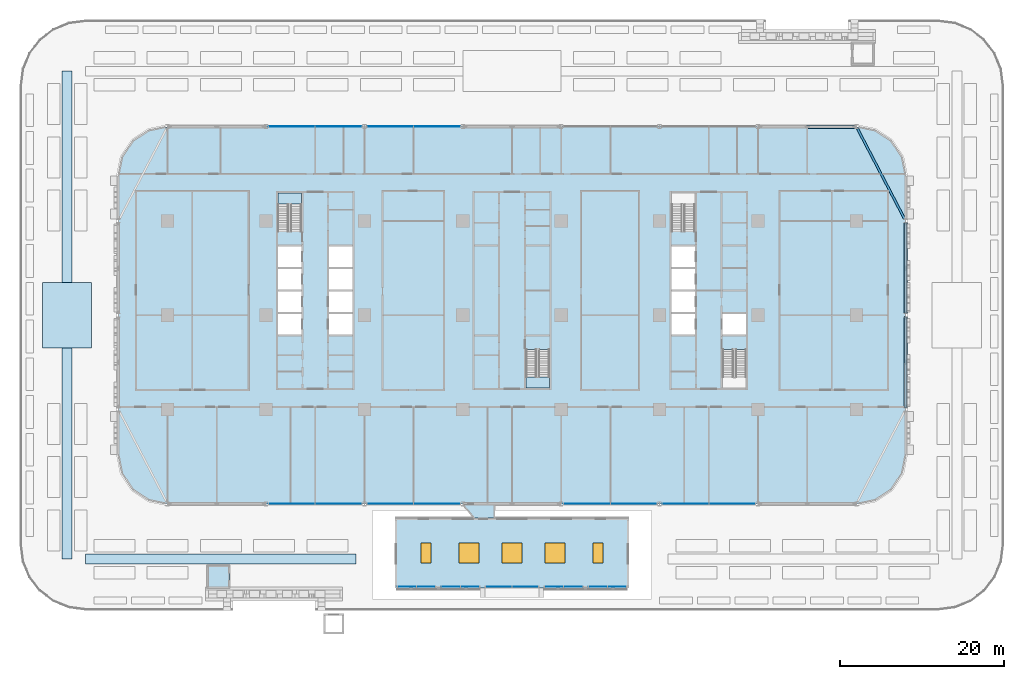
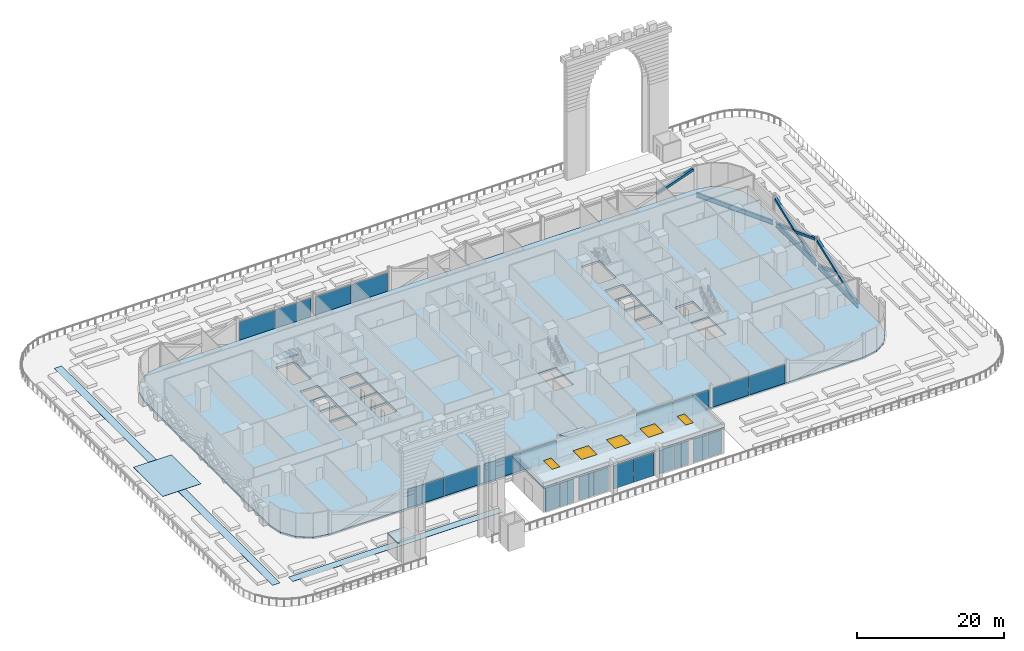
# One storey, part 9 of 39: 26 plates, 6 members, 6 slabs, 5 windows, 3 beams, 5 openings, 13 elements without a shape of their own.
"""IFC4 building model written with IfcOpenShell, lengths in metres."""

from ifc_helpers import new_model, si_unit, direction, frame, origin, origin_2d, place, context, subcontext, project, spatial, polyline, rectangle, hollow_rectangle, i_section, outline, extrude, material, layer, layer_set, material_profile, profile_set, type_object, element, fill, aggregate, save


model = new_model("IFC4")

# Units and contexts
model_context = context("Model", 3, precision=1e-05, world=origin(), true_north=direction((0.0, 1.0)))
body_context = subcontext(model_context, "Body", "Model", "MODEL_VIEW")
ifc_project = project(units=[si_unit("LENGTHUNIT", "METRE"), si_unit("AREAUNIT", "SQUARE_METRE"), si_unit("VOLUMEUNIT", "CUBIC_METRE"), si_unit("PLANEANGLEUNIT", "RADIAN"), si_unit("MASSUNIT", "GRAM", prefix="KILO")], contexts=[model_context])

# Site, building, storey
site_placement = place(None, origin())
site = spatial("IfcSite", under=ifc_project, at=site_placement, CompositionType="ELEMENT")
building_placement = place(site_placement, origin())
building = spatial("IfcBuilding", under=site, at=building_placement, Name="Mahtab Terrace Research Tower", CompositionType="ELEMENT")
storey_placement = place(building_placement, frame((0.0, 0.0, 7.199951171875)))
storey = spatial("IfcBuildingStorey", under=building, at=storey_placement, Name="L01", CompositionType="ELEMENT", Elevation=7.199951171875)

# Members
ifc_material_1 = material(Name="Steel ASTM A500 Gr C", Category="steel")
ifc_material_profile_1 = material_profile(ifc_material_1, hollow_rectangle(XDim=0.406494140625, YDim=0.406494140625, WallThickness=0.01904296875, at=origin_2d()), Name="HSS16X16X3/4")
ifc_profile_set_1 = profile_set([ifc_material_profile_1], Name="Steel ASTM A500 Gr C")
member_type = type_object("IfcMemberType", Name="HSS 16x16x3/4 brace XB161634", PredefinedType="BRACE", material=ifc_profile_set_1)
member_1_placement = place(storey_placement, frame((36.0, 23.0, 1.431640625), z_axis=(0.941394406025, 0.0, 0.337307830185), x_axis=(0.0, 1.0, 0.0)))
element("IfcMember", 1, at=member_1_placement, inside=storey, type_object=member_type, Name="Exoskeleton brace L01 01 b2", PredefinedType="BRACE", context=body_context, shape_type="SweptSolid", body=[
    extrude(hollow_rectangle(XDim=0.406494140625, YDim=0.406494140625, WallThickness=0.01904296875, at=origin_2d()), origin(), (0.0, 0.0, 1.0), 6.144287109375),
])
member_2_placement = place(storey_placement, frame((48.0, -11.251220703125, -0.625244140625), z_axis=(0.0, 0.936668691391, 0.350216736563), x_axis=(-1.0, 0.0, 0.0)))
element("IfcMember", 2, at=member_2_placement, inside=storey, type_object=member_type, Name="Exoskeleton brace L01 20 a", PredefinedType="BRACE", context=body_context, shape_type="SweptSolid", body=[
    extrude(hollow_rectangle(XDim=0.406494140625, YDim=0.406494140625, WallThickness=0.01904296875, at=origin_2d()), origin(), (0.0, 0.0, 1.0), 11.746337890625),
])
member_3_placement = place(storey_placement, frame((48.0, -0.248779296875, -0.625244140625), z_axis=(0.0, -0.936668691391, 0.350216736563), x_axis=(1.0, 0.0, 0.0)))
element("IfcMember", 3, at=member_3_placement, inside=storey, type_object=member_type, Name="Exoskeleton brace L01 20 b1", PredefinedType="BRACE", context=body_context, shape_type="SweptSolid", body=[
    extrude(hollow_rectangle(XDim=0.406494140625, YDim=0.406494140625, WallThickness=0.01904296875, at=origin_2d()), origin(), (0.0, 0.0, 1.0), 5.873291015625),
])
member_4_placement = place(storey_placement, frame((48.0, 0.248779296875, -0.625244140625), z_axis=(0.0, 0.936668691391, 0.350216736563), x_axis=(-1.0, 0.0, 0.0)))
element("IfcMember", 4, at=member_4_placement, inside=storey, type_object=member_type, Name="Exoskeleton brace L01 21 a", PredefinedType="BRACE", context=body_context, shape_type="SweptSolid", body=[
    extrude(hollow_rectangle(XDim=0.406494140625, YDim=0.406494140625, WallThickness=0.01904296875, at=origin_2d()), origin(), (0.0, 0.0, 1.0), 11.746337890625),
])
for number, where, z_axis, x_axis, name in (
    (5, (48.0, 11.251220703125, -0.625244140625), (0.0, -0.936668691391, 0.350216736563), (1.0, 0.0, 0.0), "Exoskeleton brace L01 21 b1"),
    (6, (48.0, 5.75, 1.431640625), (0.0, -0.936668691391, 0.350216736563), (1.0, 0.0, 0.0), "Exoskeleton brace L01 21 b2"),
):
    element("IfcMember", number, at=place(storey_placement, frame(where, z_axis=z_axis, x_axis=x_axis)), inside=storey, type_object=member_type, Name=name, PredefinedType="BRACE", context=body_context, shape_type="SweptSolid", body=[
        extrude(hollow_rectangle(XDim=0.406494140625, YDim=0.406494140625, WallThickness=0.01904296875, at=origin_2d()), origin(), (0.0, 0.0, 1.0), 5.873291015625),
    ])

# Beams
ifc_material_2 = material(Name="Steel ASTM A992 Gr 50", Category="steel")
ifc_material_profile_2 = material_profile(ifc_material_2, i_section(OverallWidth=0.2666015625, OverallDepth=0.7568359375, WebThickness=0.013916015625, FlangeThickness=0.019287109375, at=origin_2d()), Name="W30X108")
ifc_profile_set_2 = profile_set([ifc_material_profile_2], Name="Steel ASTM A992 Gr 50")
beam_type = type_object("IfcBeamType", Name="W30x108 beam BS30108", PredefinedType="BEAM", material=ifc_profile_set_2)
for number, where, z_axis, x_axis, name in (
    (7, (48.0, -11.251220703125, -0.718505859375), (0.0, 1.0, 0.0), (-1.0, 0.0, 0.0), "Spandrel beam L01 20"),
    (8, (48.0, 0.248779296875, -0.718505859375), (0.0, 1.0, 0.0), (-1.0, 0.0, 0.0), "Spandrel beam L01 21"),
):
    element("IfcBeam", number, at=place(storey_placement, frame(where, z_axis=z_axis, x_axis=x_axis)), inside=storey, type_object=beam_type, Name=name, PredefinedType="BEAM", context=body_context, shape_type="SweptSolid", body=[
        extrude(i_section(OverallWidth=0.2666015625, OverallDepth=0.7568359375, WebThickness=0.013916015625, FlangeThickness=0.019287109375, at=origin_2d()), origin(), (0.0, 0.0, 1.0), 11.00244140625),
    ])
beam_placement = place(storey_placement, frame((47.8701171875, 11.748779296875, -0.718505859375), z_axis=(-0.462555249274, 0.88659045865, 0.0), x_axis=(-0.88659045865, -0.462555249274, 0.0)))
element("IfcBeam", 9, at=beam_placement, inside=storey, type_object=beam_type, Name="Spandrel beam L01 22", PredefinedType="BEAM", context=body_context, shape_type="SweptSolid", body=[
    extrude(i_section(OverallWidth=0.2666015625, OverallDepth=0.7568359375, WebThickness=0.013916015625, FlangeThickness=0.019287109375, at=origin_2d()), origin(), (0.0, 0.0, 1.0), 12.409912109375),
])

# Slab
ifc_material_3 = material(Name="Concrete C40/50", Category="concrete")
ifc_layer_1 = layer(ifc_material_3, 0.199951171875)
ifc_layer_set_1 = layer_set([ifc_layer_1], Name="Deck kiosk roof slab 200")
slab_type_1 = type_object("IfcSlabType", Name="Deck kiosk roof slab 200", PredefinedType="ROOF", material=ifc_layer_set_1)
slab_1_placement = place(storey_placement, frame((0.0, 0.0, 2.900146484375)))
element("IfcSlab", 10, at=slab_1_placement, inside=storey, type_object=slab_type_1, Name="Deck kiosk roof PS1", PredefinedType="ROOF", context=body_context, shape_type="SweptSolid", body=[
    extrude(outline(polyline([(-37.199951171875, -33.300048828125), (-34.39990234375, -33.300048828125), (-34.39990234375, -30.5), (-37.199951171875, -30.5), (-37.199951171875, -33.300048828125)])), origin(), (0.0, 0.0, 1.0), 0.199951171875),
])

# Stair, slab
ifc_material_4 = material(Name="Exit stair half-turn")
stair_type = type_object("IfcStairType", Name="Exit stair half-turn", PredefinedType="HALF_TURN_STAIR", material=ifc_material_4)
stair_1_placement = place(storey_placement, origin())
stair_1 = element("IfcStair", 11, at=stair_1_placement, inside=storey, type_object=stair_type, Name="L01 Protected exit stair ST1", PredefinedType="HALF_TURN_STAIR")
ifc_layer_2 = layer(ifc_material_3, 0.199951171875)
ifc_layer_set_2 = layer_set([ifc_layer_2], Name="Exit stair landing 200")
slab_type_2 = type_object("IfcSlabType", Name="Exit stair landing 200", PredefinedType="LANDING", material=ifc_layer_set_2)
slab_2_placement = place(storey_placement, frame((0.0, 0.0, 1.949951171875)))
slab_2 = element("IfcSlab", 12, at=slab_2_placement, type_object=slab_type_2, Name="ST1 landing 1", PredefinedType="LANDING", context=body_context, shape_type="SweptSolid", body=[
    extrude(outline(polyline([(-25.699951171875, 13.534912109375), (-25.699951171875, 14.875), (-28.550048828125, 14.875), (-28.550048828125, 13.534912109375), (-25.699951171875, 13.534912109375)])), origin(), (0.0, 0.0, 1.0), 0.2001953125),
])
aggregate(stair_1, [slab_2])

stair_2_placement = place(storey_placement, origin())
stair_2 = element("IfcStair", 13, at=stair_2_placement, inside=storey, type_object=stair_type, Name="L01 Protected exit stair ST2", PredefinedType="HALF_TURN_STAIR")
slab_3_placement = place(storey_placement, frame((0.0, 0.0, 1.949951171875)))
slab_3 = element("IfcSlab", 14, at=slab_3_placement, type_object=slab_type_2, Name="ST2 landing 1", PredefinedType="LANDING", context=body_context, shape_type="SweptSolid", body=[
    extrude(outline(polyline([(1.699951171875, -7.534912109375), (1.699951171875, -8.875), (4.550048828125, -8.875), (4.550048828125, -7.534912109375), (1.699951171875, -7.534912109375)])), origin(), (0.0, 0.0, 1.0), 0.2001953125),
])
aggregate(stair_2, [slab_3])

# Curtain wall, plates
ifc_material_5 = material(Name="Garden pavilion curtain wall")
curtain_wall_type_1 = type_object("IfcCurtainWallType", Name="Garden pavilion curtain wall", PredefinedType="NOTDEFINED", material=ifc_material_5)
curtain_wall_1_placement = place(storey_placement, origin())
curtain_wall_1 = element("IfcCurtainWall", 15, at=curtain_wall_1_placement, inside=storey, type_object=curtain_wall_type_1, Name="PAV.cw.0", PredefinedType="NOTDEFINED")
ifc_material_6 = material(Name="Dark glazing", Category="glass")
ifc_layer_3 = layer(ifc_material_6, 0.035888671875)
ifc_layer_set_3 = layer_set([ifc_layer_3], Name="Garden pavilion curtain wall glazing panel")
plate_type_1 = type_object("IfcPlateType", Name="Garden pavilion curtain wall glazing panel", PredefinedType="CURTAIN_PANEL", material=ifc_layer_set_3)
plate_1_placement = place(storey_placement, frame((-12.80615234375, -33.125, 0.0), z_axis=(0.0, 0.0, 1.0), x_axis=(1.0, 0.0, 0.0)))
plate_1 = element("IfcPlate", 16, at=plate_1_placement, type_object=plate_type_1, Name="CWP-1 panel 1", PredefinedType="CURTAIN_PANEL", context=body_context, shape_type="SweptSolid", body=[
    extrude(rectangle(XDim=2.237548828125, YDim=0.035888671875, at=origin_2d()), origin(), (0.0, 0.0, 1.0), 3.8798828125),
])
plate_2_placement = place(storey_placement, frame((-10.49365234375, -33.125, 0.0), z_axis=(0.0, 0.0, 1.0), x_axis=(1.0, 0.0, 0.0)))
plate_2 = element("IfcPlate", 17, at=plate_2_placement, type_object=plate_type_1, Name="CWP-1 panel 2", PredefinedType="CURTAIN_PANEL", context=body_context, shape_type="SweptSolid", body=[
    extrude(rectangle(XDim=2.237548828125, YDim=0.035888671875, at=origin_2d()), origin(), (0.0, 0.0, 1.0), 3.8798828125),
])
aggregate(curtain_wall_1, [plate_1, plate_2])

curtain_wall_2_placement = place(storey_placement, origin())
curtain_wall_2 = element("IfcCurtainWall", 18, at=curtain_wall_2_placement, inside=storey, type_object=curtain_wall_type_1, Name="PAV.cw.1", PredefinedType="NOTDEFINED")
plate_3_placement = place(storey_placement, frame((-7.481201171875, -33.125, 0.0), z_axis=(0.0, 0.0, 1.0), x_axis=(1.0, 0.0, 0.0)))
plate_3 = element("IfcPlate", 19, at=plate_3_placement, type_object=plate_type_1, Name="CWP-1 panel 1", PredefinedType="CURTAIN_PANEL", context=body_context, shape_type="SweptSolid", body=[
    extrude(rectangle(XDim=2.28759765625, YDim=0.035888671875, at=origin_2d()), origin(), (0.0, 0.0, 1.0), 3.8798828125),
])
plate_4_placement = place(storey_placement, frame((-5.11865234375, -33.125, 0.0), z_axis=(0.0, 0.0, 1.0), x_axis=(1.0, 0.0, 0.0)))
plate_4 = element("IfcPlate", 20, at=plate_4_placement, type_object=plate_type_1, Name="CWP-1 panel 2", PredefinedType="CURTAIN_PANEL", context=body_context, shape_type="SweptSolid", body=[
    extrude(rectangle(XDim=2.28759765625, YDim=0.035888671875, at=origin_2d()), origin(), (0.0, 0.0, 1.0), 3.8798828125),
])
aggregate(curtain_wall_2, [plate_3, plate_4])

curtain_wall_3_placement = place(storey_placement, origin())
curtain_wall_3 = element("IfcCurtainWall", 21, at=curtain_wall_3_placement, inside=storey, type_object=curtain_wall_type_1, Name="PAV.cw.2", PredefinedType="NOTDEFINED")
plate_5_placement = place(storey_placement, frame((-1.63134765625, -33.125, 0.0), z_axis=(0.0, 0.0, 1.0), x_axis=(1.0, 0.0, 0.0)))
plate_5 = element("IfcPlate", 22, at=plate_5_placement, type_object=plate_type_1, Name="CWP-1 panel 1", PredefinedType="CURTAIN_PANEL", context=body_context, shape_type="SweptSolid", body=[
    extrude(rectangle(XDim=3.1875, YDim=0.035888671875, at=origin_2d()), origin(), (0.0, 0.0, 1.0), 3.8798828125),
])
plate_6_placement = place(storey_placement, frame((1.63134765625, -33.125, 0.0), z_axis=(0.0, 0.0, 1.0), x_axis=(1.0, 0.0, 0.0)))
plate_6 = element("IfcPlate", 23, at=plate_6_placement, type_object=plate_type_1, Name="CWP-1 panel 2", PredefinedType="CURTAIN_PANEL", context=body_context, shape_type="SweptSolid", body=[
    extrude(rectangle(XDim=3.1875, YDim=0.035888671875, at=origin_2d()), origin(), (0.0, 0.0, 1.0), 3.8798828125),
])
aggregate(curtain_wall_3, [plate_5, plate_6])

curtain_wall_4_placement = place(storey_placement, origin())
curtain_wall_4 = element("IfcCurtainWall", 24, at=curtain_wall_4_placement, inside=storey, type_object=curtain_wall_type_1, Name="PAV.cw.3", PredefinedType="NOTDEFINED")
plate_7_placement = place(storey_placement, frame((5.11865234375, -33.125, 0.0), z_axis=(0.0, 0.0, 1.0), x_axis=(1.0, 0.0, 0.0)))
plate_7 = element("IfcPlate", 25, at=plate_7_placement, type_object=plate_type_1, Name="CWP-1 panel 1", PredefinedType="CURTAIN_PANEL", context=body_context, shape_type="SweptSolid", body=[
    extrude(rectangle(XDim=2.28759765625, YDim=0.035888671875, at=origin_2d()), origin(), (0.0, 0.0, 1.0), 3.8798828125),
])
plate_8_placement = place(storey_placement, frame((7.481201171875, -33.125, 0.0), z_axis=(0.0, 0.0, 1.0), x_axis=(1.0, 0.0, 0.0)))
plate_8 = element("IfcPlate", 26, at=plate_8_placement, type_object=plate_type_1, Name="CWP-1 panel 2", PredefinedType="CURTAIN_PANEL", context=body_context, shape_type="SweptSolid", body=[
    extrude(rectangle(XDim=2.28759765625, YDim=0.035888671875, at=origin_2d()), origin(), (0.0, 0.0, 1.0), 3.8798828125),
])
aggregate(curtain_wall_4, [plate_7, plate_8])

curtain_wall_5_placement = place(storey_placement, origin())
curtain_wall_5 = element("IfcCurtainWall", 27, at=curtain_wall_5_placement, inside=storey, type_object=curtain_wall_type_1, Name="PAV.cw.4", PredefinedType="NOTDEFINED")
plate_9_placement = place(storey_placement, frame((10.49365234375, -33.125, 0.0), z_axis=(0.0, 0.0, 1.0), x_axis=(1.0, 0.0, 0.0)))
plate_9 = element("IfcPlate", 28, at=plate_9_placement, type_object=plate_type_1, Name="CWP-1 panel 1", PredefinedType="CURTAIN_PANEL", context=body_context, shape_type="SweptSolid", body=[
    extrude(rectangle(XDim=2.237548828125, YDim=0.035888671875, at=origin_2d()), origin(), (0.0, 0.0, 1.0), 3.8798828125),
])
plate_10_placement = place(storey_placement, frame((12.80615234375, -33.125, 0.0), z_axis=(0.0, 0.0, 1.0), x_axis=(1.0, 0.0, 0.0)))
plate_10 = element("IfcPlate", 29, at=plate_10_placement, type_object=plate_type_1, Name="CWP-1 panel 2", PredefinedType="CURTAIN_PANEL", context=body_context, shape_type="SweptSolid", body=[
    extrude(rectangle(XDim=2.237548828125, YDim=0.035888671875, at=origin_2d()), origin(), (0.0, 0.0, 1.0), 3.8798828125),
])
aggregate(curtain_wall_5, [plate_9, plate_10])

# Plate
ifc_material_7 = material(Name="Water feature lining")
ifc_layer_4 = layer(ifc_material_7, 0.050048828125)
ifc_layer_set_4 = layer_set([ifc_layer_4], Name="Garden pool lining")
plate_type_2 = type_object("IfcPlateType", Name="Garden pool lining", PredefinedType="USERDEFINED", material=ifc_layer_set_4)
plate_11_placement = place(storey_placement, origin())
element("IfcPlate", 30, at=plate_11_placement, inside=storey, type_object=plate_type_2, Name="POOL 3", ObjectType="POOL", PredefinedType="USERDEFINED", context=body_context, shape_type="SweptSolid", body=[
    extrude(outline(polyline([(-51.25, -4.0), (-51.25, 4.0), (-57.25, 4.0), (-57.25, -4.0), (-51.25, -4.0)])), origin(), (0.0, 0.0, 1.0), 0.050048828125),
])

# Slabs
ifc_layer_5 = layer(ifc_material_3, 0.340087890625)
ifc_layer_set_5 = layer_set([ifc_layer_5], Name="PT flat slab 340")
slab_type_3 = type_object("IfcSlabType", Name="PT flat slab 340", PredefinedType="FLOOR", material=ifc_layer_set_5)
slab_4_placement = place(storey_placement, frame((0.0, 0.0, -0.33984375)))
element("IfcSlab", 31, at=slab_4_placement, inside=storey, type_object=slab_type_3, Name="Floor slab L01", PredefinedType="FLOOR", context=body_context, shape_type="SweptSolid", body=[
    extrude(outline(polyline([(47.54296875, 19.2958984375), (46.242919921875, 21.242919921875), (44.2958984375, 22.54296875), (42.0, 23.0), (-42.0, 23.0), (-44.2958984375, 22.54296875), (-46.242919921875, 21.242919921875), (-47.54296875, 19.2958984375), (-48.0, 17.0), (-48.0, -17.0), (-47.54296875, -19.2958984375), (-46.242919921875, -21.242919921875), (-44.2958984375, -22.54296875), (-42.0, -23.0), (42.0, -23.0), (44.2958984375, -22.54296875), (46.242919921875, -21.242919921875), (47.54296875, -19.2958984375), (48.0, -17.0), (48.0, 17.0), (47.54296875, 19.2958984375)]), holes=[polyline([(-28.550048828125, -2.375), (-28.550048828125, 0.125), (-25.699951171875, 0.125), (-25.699951171875, -2.375), (-28.550048828125, -2.375)]), polyline([(-22.300048828125, -2.375), (-22.300048828125, 0.125), (-19.449951171875, 0.125), (-19.449951171875, -2.375), (-22.300048828125, -2.375)]), polyline([(-28.550048828125, 0.375), (-28.550048828125, 2.875), (-25.699951171875, 2.875), (-25.699951171875, 0.375), (-28.550048828125, 0.375)]), polyline([(-22.300048828125, 0.375), (-22.300048828125, 2.875), (-19.449951171875, 2.875), (-19.449951171875, 0.375), (-22.300048828125, 0.375)]), polyline([(-28.550048828125, 3.125), (-28.550048828125, 5.625), (-25.699951171875, 5.625), (-25.699951171875, 3.125), (-28.550048828125, 3.125)]), polyline([(-22.300048828125, 3.125), (-22.300048828125, 5.625), (-19.449951171875, 5.625), (-19.449951171875, 3.125), (-22.300048828125, 3.125)]), polyline([(-28.550048828125, 5.875), (-28.550048828125, 8.375), (-25.699951171875, 8.375), (-25.699951171875, 5.875), (-28.550048828125, 5.875)]), polyline([(-22.300048828125, 5.875), (-22.300048828125, 8.375), (-19.449951171875, 8.375), (-19.449951171875, 5.875), (-22.300048828125, 5.875)]), polyline([(-28.550048828125, 10.177001953125), (-28.550048828125, 14.875), (-25.699951171875, 14.875), (-25.699951171875, 10.177001953125), (-28.550048828125, 10.177001953125)]), polyline([(1.699951171875, -8.875), (1.699951171875, -4.177001953125), (4.550048828125, -4.177001953125), (4.550048828125, -8.875), (1.699951171875, -8.875)]), polyline([(25.699951171875, -8.875), (25.699951171875, -4.177001953125), (28.550048828125, -4.177001953125), (28.550048828125, -8.875), (25.699951171875, -8.875)]), polyline([(19.449951171875, -2.375), (19.449951171875, 0.125), (22.300048828125, 0.125), (22.300048828125, -2.375), (19.449951171875, -2.375)]), polyline([(25.699951171875, -2.375), (25.699951171875, 0.125), (28.550048828125, 0.125), (28.550048828125, -2.375), (25.699951171875, -2.375)]), polyline([(19.449951171875, 0.375), (19.449951171875, 2.875), (22.300048828125, 2.875), (22.300048828125, 0.375), (19.449951171875, 0.375)]), polyline([(19.449951171875, 3.125), (19.449951171875, 5.625), (22.300048828125, 5.625), (22.300048828125, 3.125), (19.449951171875, 3.125)]), polyline([(19.449951171875, 8.375), (22.300048828125, 8.375), (22.300048828125, 5.875), (19.449951171875, 5.875), (19.449951171875, 8.375)]), polyline([(19.449951171875, 14.875), (22.300048828125, 14.875), (22.300048828125, 10.177001953125), (19.449951171875, 10.177001953125), (19.449951171875, 14.875)])]), origin(), (0.0, 0.0, 1.0), 0.33984375),
])
ifc_layer_6 = layer(ifc_material_3, 0.199951171875)
ifc_layer_set_6 = layer_set([ifc_layer_6], Name="Pavilion link roof slab 200")
slab_type_4 = type_object("IfcSlabType", Name="Pavilion link roof slab 200", PredefinedType="ROOF", material=ifc_layer_set_6)
slab_5_placement = place(storey_placement, frame((0.0, 0.0, 3.800048828125)))
element("IfcSlab", 32, at=slab_5_placement, inside=storey, type_object=slab_type_4, Name="Pavilion link roof", PredefinedType="ROOF", context=body_context, shape_type="SweptSolid", body=[
    extrude(outline(polyline([(-6.02197265625, -23.14990234375), (-2.10009765625, -23.14990234375), (-2.10009765625, -24.75), (-4.697021484375, -24.75), (-6.02197265625, -23.14990234375)])), origin(), (0.0, 0.0, 1.0), 0.199951171875),
])

# Slab, openings, windows
ifc_layer_7 = layer(ifc_material_3, 0.300048828125)
ifc_layer_set_7 = layer_set([ifc_layer_7], Name="Pavilion roof slab 300")
slab_type_5 = type_object("IfcSlabType", Name="Pavilion roof slab 300", PredefinedType="ROOF", material=ifc_layer_set_7)
slab_6_placement = place(storey_placement, frame((0.0, 0.0, 4.0)))
slab_6 = element("IfcSlab", 33, at=slab_6_placement, inside=storey, type_object=slab_type_5, Name="Pavilion roof slab", PredefinedType="ROOF", context=body_context, shape_type="SweptSolid", body=[
    extrude(outline(polyline([(-14.25, -33.25), (14.25, -33.25), (14.25, -24.75), (-14.25, -24.75), (-14.25, -33.25)])), origin(), (0.0, 0.0, 1.0), 0.300048828125),
])
opening_1_placement = place(slab_6_placement, frame((-10.5, -29.0, -0.010009765625)))
opening_1 = element("IfcOpeningElement", 34, at=opening_1_placement, cuts=slab_6, Name="Opening SK2", PredefinedType="OPENING", context=body_context, shape_type="SweptSolid", body=[
    extrude(rectangle(XDim=1.199951171875, YDim=2.39990234375, at=origin_2d()), origin(), (0.0, 0.0, 1.0), 0.320068359375),
])
opening_2_placement = place(slab_6_placement, frame((-5.25, -29.0, -0.010009765625)))
opening_2 = element("IfcOpeningElement", 35, at=opening_2_placement, cuts=slab_6, Name="Opening SK1", PredefinedType="OPENING", context=body_context, shape_type="SweptSolid", body=[
    extrude(rectangle(XDim=2.39990234375, YDim=2.39990234375, at=origin_2d()), origin(), (0.0, 0.0, 1.0), 0.320068359375),
])
opening_3_placement = place(slab_6_placement, frame((0.0, -29.0, -0.010009765625)))
opening_3 = element("IfcOpeningElement", 36, at=opening_3_placement, cuts=slab_6, Name="Opening SK1", PredefinedType="OPENING", context=body_context, shape_type="SweptSolid", body=[
    extrude(rectangle(XDim=2.39990234375, YDim=2.39990234375, at=origin_2d()), origin(), (0.0, 0.0, 1.0), 0.320068359375),
])
opening_4_placement = place(slab_6_placement, frame((5.25, -29.0, -0.010009765625)))
opening_4 = element("IfcOpeningElement", 37, at=opening_4_placement, cuts=slab_6, Name="Opening SK1", PredefinedType="OPENING", context=body_context, shape_type="SweptSolid", body=[
    extrude(rectangle(XDim=2.39990234375, YDim=2.39990234375, at=origin_2d()), origin(), (0.0, 0.0, 1.0), 0.320068359375),
])
opening_5_placement = place(slab_6_placement, frame((10.5, -29.0, -0.010009765625)))
opening_5 = element("IfcOpeningElement", 38, at=opening_5_placement, cuts=slab_6, Name="Opening SK2", PredefinedType="OPENING", context=body_context, shape_type="SweptSolid", body=[
    extrude(rectangle(XDim=1.199951171875, YDim=2.39990234375, at=origin_2d()), origin(), (0.0, 0.0, 1.0), 0.320068359375),
])
ifc_material_8 = material(Name="Roof glazing", Category="glass")
window_type_1 = type_object("IfcWindowType", Name="Roof skylight 1200x2400", PartitioningType="SINGLE_PANEL", PredefinedType="SKYLIGHT", material=ifc_material_8)
window_1_placement = place(opening_1_placement, frame((0.0, 0.0, 0.260009765625)))
window_1 = element("IfcWindow", 39, at=window_1_placement, inside=storey, type_object=window_type_1, Name="Pavilion skylight 1", OverallHeight=2.39990234375, OverallWidth=1.199951171875, PartitioningType="SINGLE_PANEL", PredefinedType="SKYLIGHT", context=body_context, shape_type="SweptSolid", body=[
    extrude(rectangle(XDim=1.199951171875, YDim=2.39990234375, at=origin_2d()), origin(), (0.0, 0.0, 1.0), 0.050048828125),
])
fill(opening_1, window_1)
window_2_placement = place(opening_5_placement, frame((0.0, 0.0, 0.260009765625)))
window_2 = element("IfcWindow", 40, at=window_2_placement, inside=storey, type_object=window_type_1, Name="Pavilion skylight 5", OverallHeight=2.39990234375, OverallWidth=1.199951171875, PartitioningType="SINGLE_PANEL", PredefinedType="SKYLIGHT", context=body_context, shape_type="SweptSolid", body=[
    extrude(rectangle(XDim=1.199951171875, YDim=2.39990234375, at=origin_2d()), origin(), (0.0, 0.0, 1.0), 0.050048828125),
])
fill(opening_5, window_2)
window_type_2 = type_object("IfcWindowType", Name="Roof skylight 2400x2400", PartitioningType="SINGLE_PANEL", PredefinedType="SKYLIGHT", material=ifc_material_8)
window_3_placement = place(opening_2_placement, frame((0.0, 0.0, 0.260009765625)))
window_3 = element("IfcWindow", 41, at=window_3_placement, inside=storey, type_object=window_type_2, Name="Pavilion skylight 2", OverallHeight=2.39990234375, OverallWidth=2.39990234375, PartitioningType="SINGLE_PANEL", PredefinedType="SKYLIGHT", context=body_context, shape_type="SweptSolid", body=[
    extrude(rectangle(XDim=2.39990234375, YDim=2.39990234375, at=origin_2d()), origin(), (0.0, 0.0, 1.0), 0.050048828125),
])
fill(opening_2, window_3)
window_4_placement = place(opening_3_placement, frame((0.0, 0.0, 0.260009765625)))
window_4 = element("IfcWindow", 42, at=window_4_placement, inside=storey, type_object=window_type_2, Name="Pavilion skylight 3", OverallHeight=2.39990234375, OverallWidth=2.39990234375, PartitioningType="SINGLE_PANEL", PredefinedType="SKYLIGHT", context=body_context, shape_type="SweptSolid", body=[
    extrude(rectangle(XDim=2.39990234375, YDim=2.39990234375, at=origin_2d()), origin(), (0.0, 0.0, 1.0), 0.050048828125),
])
fill(opening_3, window_4)
window_5_placement = place(opening_4_placement, frame((0.0, 0.0, 0.260009765625)))
window_5 = element("IfcWindow", 43, at=window_5_placement, inside=storey, type_object=window_type_2, Name="Pavilion skylight 4", OverallHeight=2.39990234375, OverallWidth=2.39990234375, PartitioningType="SINGLE_PANEL", PredefinedType="SKYLIGHT", context=body_context, shape_type="SweptSolid", body=[
    extrude(rectangle(XDim=2.39990234375, YDim=2.39990234375, at=origin_2d()), origin(), (0.0, 0.0, 1.0), 0.050048828125),
])
fill(opening_4, window_5)

# Curtain wall, plates
ifc_material_9 = material(Name="Sky lounge full-height curtain wall")
curtain_wall_type_2 = type_object("IfcCurtainWallType", Name="Sky lounge full-height curtain wall", PredefinedType="NOTDEFINED", material=ifc_material_9)
curtain_wall_6_placement = place(storey_placement, origin())
curtain_wall_6 = element("IfcCurtainWall", 44, at=curtain_wall_6_placement, inside=storey, type_object=curtain_wall_type_2, Name="EN.L01.3.7", PredefinedType="NOTDEFINED")
ifc_layer_8 = layer(ifc_material_6, 0.0400390625)
ifc_layer_set_8 = layer_set([ifc_layer_8], Name="Sky lounge full-height curtain wall glazing panel")
plate_type_3 = type_object("IfcPlateType", Name="Sky lounge full-height curtain wall glazing panel", PredefinedType="CURTAIN_PANEL", material=ifc_layer_set_8)
plate_12_placement = place(storey_placement, frame((-9.14208984375, 23.0, 0.0), z_axis=(0.0, 0.0, 1.0), x_axis=(-1.0, 0.0, 0.0)))
plate_12 = element("IfcPlate", 45, at=plate_12_placement, type_object=plate_type_3, Name="CWS-1 panel 1", PredefinedType="CURTAIN_PANEL", context=body_context, shape_type="SweptSolid", body=[
    extrude(rectangle(XDim=5.64599609375, YDim=0.0400390625, at=origin_2d()), origin(), (0.0, 0.0, 1.0), 3.0830078125),
])
plate_13_placement = place(storey_placement, frame((-14.85791015625, 23.0, 0.0), z_axis=(0.0, 0.0, 1.0), x_axis=(-1.0, 0.0, 0.0)))
plate_13 = element("IfcPlate", 46, at=plate_13_placement, type_object=plate_type_3, Name="CWS-1 panel 2", PredefinedType="CURTAIN_PANEL", context=body_context, shape_type="SweptSolid", body=[
    extrude(rectangle(XDim=5.64599609375, YDim=0.0400390625, at=origin_2d()), origin(), (0.0, 0.0, 1.0), 3.0830078125),
])
aggregate(curtain_wall_6, [plate_12, plate_13])

curtain_wall_7_placement = place(storey_placement, origin())
curtain_wall_7 = element("IfcCurtainWall", 47, at=curtain_wall_7_placement, inside=storey, type_object=curtain_wall_type_2, Name="EN.L01.3.8", PredefinedType="NOTDEFINED")
plate_14_placement = place(storey_placement, frame((-21.14208984375, 23.0, 0.0), z_axis=(0.0, 0.0, 1.0), x_axis=(-1.0, 0.0, 0.0)))
plate_14 = element("IfcPlate", 48, at=plate_14_placement, type_object=plate_type_3, Name="CWS-1 panel 1", PredefinedType="CURTAIN_PANEL", context=body_context, shape_type="SweptSolid", body=[
    extrude(rectangle(XDim=5.64599609375, YDim=0.0400390625, at=origin_2d()), origin(), (0.0, 0.0, 1.0), 3.0830078125),
])
plate_15_placement = place(storey_placement, frame((-26.85791015625, 23.0, 0.0), z_axis=(0.0, 0.0, 1.0), x_axis=(-1.0, 0.0, 0.0)))
plate_15 = element("IfcPlate", 49, at=plate_15_placement, type_object=plate_type_3, Name="CWS-1 panel 2", PredefinedType="CURTAIN_PANEL", context=body_context, shape_type="SweptSolid", body=[
    extrude(rectangle(XDim=5.64599609375, YDim=0.0400390625, at=origin_2d()), origin(), (0.0, 0.0, 1.0), 3.0830078125),
])
aggregate(curtain_wall_7, [plate_14, plate_15])

curtain_wall_8_placement = place(storey_placement, origin())
curtain_wall_8 = element("IfcCurtainWall", 50, at=curtain_wall_8_placement, inside=storey, type_object=curtain_wall_type_2, Name="EN.L01.13.23", PredefinedType="NOTDEFINED")
plate_16_placement = place(storey_placement, frame((-26.85791015625, -23.0, 0.0), z_axis=(0.0, 0.0, 1.0), x_axis=(1.0, 0.0, 0.0)))
plate_16 = element("IfcPlate", 51, at=plate_16_placement, type_object=plate_type_3, Name="CWS-1 panel 1", PredefinedType="CURTAIN_PANEL", context=body_context, shape_type="SweptSolid", body=[
    extrude(rectangle(XDim=5.64599609375, YDim=0.0400390625, at=origin_2d()), origin(), (0.0, 0.0, 1.0), 3.0830078125),
])
plate_17_placement = place(storey_placement, frame((-21.14208984375, -23.0, 0.0), z_axis=(0.0, 0.0, 1.0), x_axis=(1.0, 0.0, 0.0)))
plate_17 = element("IfcPlate", 52, at=plate_17_placement, type_object=plate_type_3, Name="CWS-1 panel 2", PredefinedType="CURTAIN_PANEL", context=body_context, shape_type="SweptSolid", body=[
    extrude(rectangle(XDim=5.64599609375, YDim=0.0400390625, at=origin_2d()), origin(), (0.0, 0.0, 1.0), 3.0830078125),
])
aggregate(curtain_wall_8, [plate_16, plate_17])

curtain_wall_9_placement = place(storey_placement, origin())
curtain_wall_9 = element("IfcCurtainWall", 53, at=curtain_wall_9_placement, inside=storey, type_object=curtain_wall_type_2, Name="EN.L01.13.24", PredefinedType="NOTDEFINED")
plate_18_placement = place(storey_placement, frame((-14.85791015625, -23.0, 0.0), z_axis=(0.0, 0.0, 1.0), x_axis=(1.0, 0.0, 0.0)))
plate_18 = element("IfcPlate", 54, at=plate_18_placement, type_object=plate_type_3, Name="CWS-1 panel 1", PredefinedType="CURTAIN_PANEL", context=body_context, shape_type="SweptSolid", body=[
    extrude(rectangle(XDim=5.64599609375, YDim=0.0400390625, at=origin_2d()), origin(), (0.0, 0.0, 1.0), 3.0830078125),
])
plate_19_placement = place(storey_placement, frame((-9.14208984375, -23.0, 0.0), z_axis=(0.0, 0.0, 1.0), x_axis=(1.0, 0.0, 0.0)))
plate_19 = element("IfcPlate", 55, at=plate_19_placement, type_object=plate_type_3, Name="CWS-1 panel 2", PredefinedType="CURTAIN_PANEL", context=body_context, shape_type="SweptSolid", body=[
    extrude(rectangle(XDim=5.64599609375, YDim=0.0400390625, at=origin_2d()), origin(), (0.0, 0.0, 1.0), 3.0830078125),
])
aggregate(curtain_wall_9, [plate_18, plate_19])

curtain_wall_10_placement = place(storey_placement, origin())
curtain_wall_10 = element("IfcCurtainWall", 56, at=curtain_wall_10_placement, inside=storey, type_object=curtain_wall_type_2, Name="EN.L01.13.26", PredefinedType="NOTDEFINED")
plate_20_placement = place(storey_placement, frame((9.14208984375, -23.0, 0.0), z_axis=(0.0, 0.0, 1.0), x_axis=(1.0, 0.0, 0.0)))
plate_20 = element("IfcPlate", 57, at=plate_20_placement, type_object=plate_type_3, Name="CWS-1 panel 1", PredefinedType="CURTAIN_PANEL", context=body_context, shape_type="SweptSolid", body=[
    extrude(rectangle(XDim=5.64599609375, YDim=0.0400390625, at=origin_2d()), origin(), (0.0, 0.0, 1.0), 3.0830078125),
])
plate_21_placement = place(storey_placement, frame((14.85791015625, -23.0, 0.0), z_axis=(0.0, 0.0, 1.0), x_axis=(1.0, 0.0, 0.0)))
plate_21 = element("IfcPlate", 58, at=plate_21_placement, type_object=plate_type_3, Name="CWS-1 panel 2", PredefinedType="CURTAIN_PANEL", context=body_context, shape_type="SweptSolid", body=[
    extrude(rectangle(XDim=5.64599609375, YDim=0.0400390625, at=origin_2d()), origin(), (0.0, 0.0, 1.0), 3.0830078125),
])
aggregate(curtain_wall_10, [plate_20, plate_21])

curtain_wall_11_placement = place(storey_placement, origin())
curtain_wall_11 = element("IfcCurtainWall", 59, at=curtain_wall_11_placement, inside=storey, type_object=curtain_wall_type_2, Name="EN.L01.13.27", PredefinedType="NOTDEFINED")
plate_22_placement = place(storey_placement, frame((21.14208984375, -23.0, 0.0), z_axis=(0.0, 0.0, 1.0), x_axis=(1.0, 0.0, 0.0)))
plate_22 = element("IfcPlate", 60, at=plate_22_placement, type_object=plate_type_3, Name="CWS-1 panel 1", PredefinedType="CURTAIN_PANEL", context=body_context, shape_type="SweptSolid", body=[
    extrude(rectangle(XDim=5.64599609375, YDim=0.0400390625, at=origin_2d()), origin(), (0.0, 0.0, 1.0), 3.0830078125),
])
plate_23_placement = place(storey_placement, frame((26.85791015625, -23.0, 0.0), z_axis=(0.0, 0.0, 1.0), x_axis=(1.0, 0.0, 0.0)))
plate_23 = element("IfcPlate", 61, at=plate_23_placement, type_object=plate_type_3, Name="CWS-1 panel 2", PredefinedType="CURTAIN_PANEL", context=body_context, shape_type="SweptSolid", body=[
    extrude(rectangle(XDim=5.64599609375, YDim=0.0400390625, at=origin_2d()), origin(), (0.0, 0.0, 1.0), 3.0830078125),
])
aggregate(curtain_wall_11, [plate_22, plate_23])

# Plates
ifc_layer_9 = layer(ifc_material_7, 0.050048828125)
ifc_layer_set_9 = layer_set([ifc_layer_9], Name="Water channel lining 1200")
plate_type_4 = type_object("IfcPlateType", Name="Water channel lining 1200", PredefinedType="USERDEFINED", material=ifc_layer_set_9)
plate_24_placement = place(storey_placement, origin())
element("IfcPlate", 62, at=plate_24_placement, inside=storey, type_object=plate_type_4, Name="WATER CHANNEL 3", ObjectType="WATER CHANNEL", PredefinedType="USERDEFINED", context=body_context, shape_type="SweptSolid", body=[
    extrude(outline(polyline([(-52.0, -30.35009765625), (-52.0, -29.14990234375), (-19.0, -29.14990234375), (-19.0, -30.35009765625), (-52.0, -30.35009765625)])), origin(), (0.0, 0.0, 1.0), 0.050048828125),
])
plate_25_placement = place(storey_placement, origin())
element("IfcPlate", 63, at=plate_25_placement, inside=storey, type_object=plate_type_4, Name="WATER CHANNEL 7", ObjectType="WATER CHANNEL", PredefinedType="USERDEFINED", context=body_context, shape_type="SweptSolid", body=[
    extrude(outline(polyline([(-53.64990234375, -29.75), (-54.85009765625, -29.75), (-54.85009765625, -4.0), (-53.64990234375, -4.0), (-53.64990234375, -29.75)])), origin(), (0.0, 0.0, 1.0), 0.050048828125),
])
plate_26_placement = place(storey_placement, origin())
element("IfcPlate", 64, at=plate_26_placement, inside=storey, type_object=plate_type_4, Name="WATER CHANNEL 8", ObjectType="WATER CHANNEL", PredefinedType="USERDEFINED", context=body_context, shape_type="SweptSolid", body=[
    extrude(outline(polyline([(-54.85009765625, 29.75), (-53.64990234375, 29.75), (-53.64990234375, 4.0), (-54.85009765625, 4.0), (-54.85009765625, 29.75)])), origin(), (0.0, 0.0, 1.0), 0.050048828125),
])

save(model, "model.ifc")
